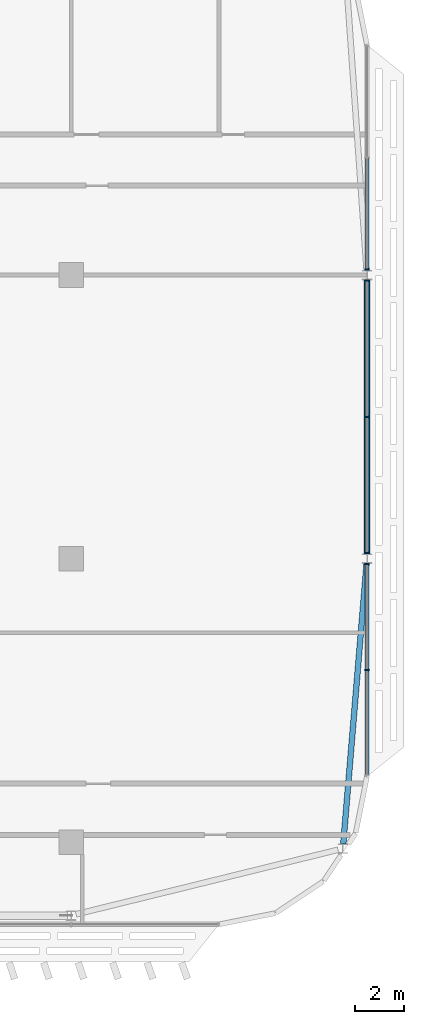
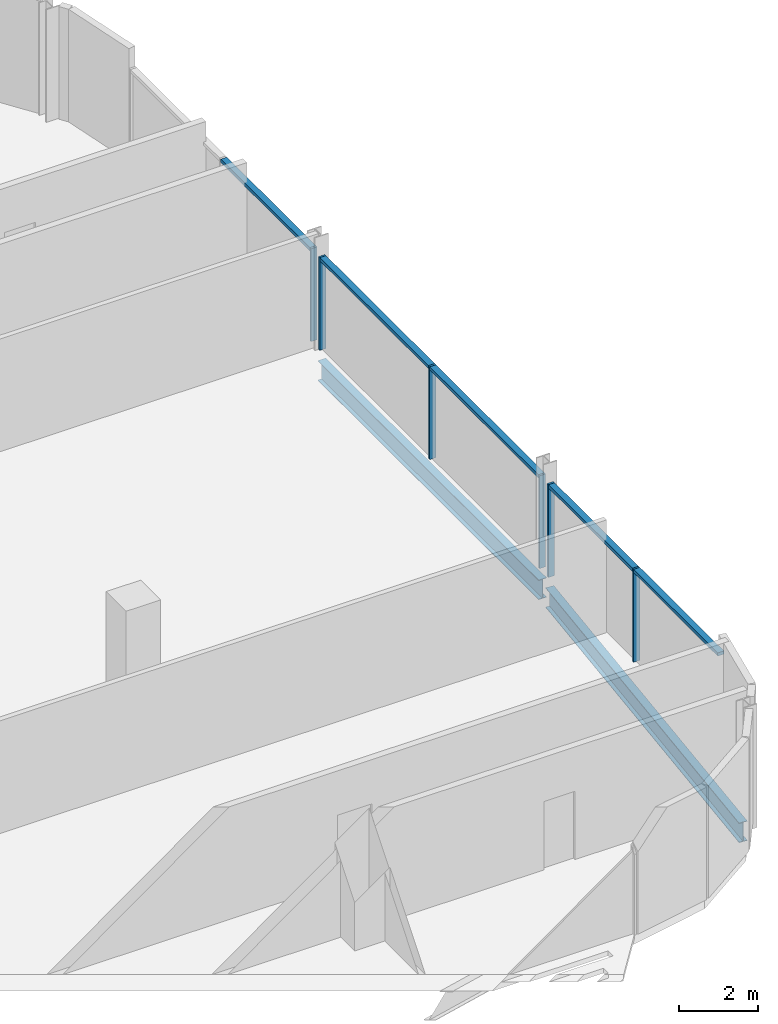
# One storey, part 13 of 35: 11 members, 2 beams, 3 elements without a shape of their own.
"""IFC4 building model written with IfcOpenShell, lengths in metres."""

from ifc_helpers import new_model, si_unit, direction, frame, origin, origin_2d, place, context, subcontext, project, spatial, rectangle, i_section, extrude, material, material_profile, profile_set, type_object, element, aggregate, save


model = new_model("IFC4")

# Units and contexts
model_context = context("Model", 3, precision=1e-05, world=origin(), true_north=direction((0.0, 1.0)))
body_context = subcontext(model_context, "Body", "Model", "MODEL_VIEW")
ifc_project = project(units=[si_unit("LENGTHUNIT", "METRE"), si_unit("AREAUNIT", "SQUARE_METRE"), si_unit("VOLUMEUNIT", "CUBIC_METRE"), si_unit("PLANEANGLEUNIT", "RADIAN"), si_unit("MASSUNIT", "GRAM", prefix="KILO")], contexts=[model_context])

# Site, building, storey
site_placement = place(None, origin())
site = spatial("IfcSite", under=ifc_project, at=site_placement, CompositionType="ELEMENT")
building_placement = place(site_placement, origin())
building = spatial("IfcBuilding", under=site, at=building_placement, Name="Mahtab Terrace Research Tower", CompositionType="ELEMENT")
storey_placement = place(building_placement, frame((0.0, 0.0, 251.39990234375)))
storey = spatial("IfcBuildingStorey", under=building, at=storey_placement, Name="L61", CompositionType="ELEMENT", Elevation=251.39990234375)

# Curtain wall, members
ifc_material_1 = material(Name="Office ribbon curtain wall")
curtain_wall_type = type_object("IfcCurtainWallType", Name="Office ribbon curtain wall", PredefinedType="NOTDEFINED", material=ifc_material_1)
curtain_wall_1_placement = place(storey_placement, origin())
curtain_wall_1 = element("IfcCurtainWall", 1, at=curtain_wall_1_placement, inside=storey, type_object=curtain_wall_type, Name="EN.L61.18.23", PredefinedType="NOTDEFINED")
ifc_material_2 = material(Name="Natural anodised aluminium", Category="aluminium")
ifc_material_profile_1 = material_profile(ifc_material_2, rectangle(XDim=0.179931640625, YDim=0.06005859375, at=origin_2d()), Name="MULLION 60x180")
ifc_profile_set_1 = profile_set([ifc_material_profile_1], Name="Natural anodised aluminium")
member_type_1 = type_object("IfcMemberType", Name="Office ribbon curtain wall mullion", PredefinedType="MULLION", material=ifc_profile_set_1)
member_1_placement = place(storey_placement, frame((54.0, -4.513427734375, 0.0), z_axis=(0.0, 0.0, 1.0), x_axis=(-1.0, 0.0, 0.0)))
member_1 = element("IfcMember", 2, at=member_1_placement, type_object=member_type_1, Name="CWO-7 mullion 2", PredefinedType="MULLION", context=body_context, shape_type="SweptSolid", body=[
    extrude(rectangle(XDim=0.179931640625, YDim=0.06005859375, at=origin_2d()), origin(), (0.0, 0.0, 1.0), 2.85302734375),
])
member_2_placement = place(storey_placement, frame((54.0, -0.222900390625, 0.0), z_axis=(0.0, 0.0, 1.0), x_axis=(-1.0, 0.0, 0.0)))
member_2 = element("IfcMember", 3, at=member_2_placement, type_object=member_type_1, Name="CWO-7 mullion 3", PredefinedType="MULLION", context=body_context, shape_type="SweptSolid", body=[
    extrude(rectangle(XDim=0.179931640625, YDim=0.06005859375, at=origin_2d()), origin(), (0.0, 0.0, 1.0), 2.85302734375),
])

curtain_wall_2_placement = place(storey_placement, origin())
curtain_wall_2 = element("IfcCurtainWall", 4, at=curtain_wall_2_placement, inside=storey, type_object=curtain_wall_type, Name="EN.L61.18.24", PredefinedType="NOTDEFINED")
member_3_placement = place(storey_placement, frame((54.0, 0.222900390625, 0.0), z_axis=(0.0, 0.0, 1.0), x_axis=(-1.0, 0.0, 0.0)))
member_3 = element("IfcMember", 5, at=member_3_placement, type_object=member_type_1, Name="CWO-7 mullion 1", PredefinedType="MULLION", context=body_context, shape_type="SweptSolid", body=[
    extrude(rectangle(XDim=0.179931640625, YDim=0.06005859375, at=origin_2d()), origin(), (0.0, 0.0, 1.0), 2.85302734375),
])
member_4_placement = place(storey_placement, frame((54.0, 5.75, 0.0), z_axis=(0.0, 0.0, 1.0), x_axis=(-1.0, 0.0, 0.0)))
member_4 = element("IfcMember", 6, at=member_4_placement, type_object=member_type_1, Name="CWO-7 mullion 2", PredefinedType="MULLION", context=body_context, shape_type="SweptSolid", body=[
    extrude(rectangle(XDim=0.179931640625, YDim=0.06005859375, at=origin_2d()), origin(), (0.0, 0.0, 1.0), 2.85302734375),
])
member_5_placement = place(storey_placement, frame((54.0, 11.277099609375, 0.0), z_axis=(0.0, 0.0, 1.0), x_axis=(-1.0, 0.0, 0.0)))
member_5 = element("IfcMember", 7, at=member_5_placement, type_object=member_type_1, Name="CWO-7 mullion 3", PredefinedType="MULLION", context=body_context, shape_type="SweptSolid", body=[
    extrude(rectangle(XDim=0.179931640625, YDim=0.06005859375, at=origin_2d()), origin(), (0.0, 0.0, 1.0), 2.85302734375),
])

# Curtain wall, member
curtain_wall_3_placement = place(storey_placement, origin())
curtain_wall_3 = element("IfcCurtainWall", 8, at=curtain_wall_3_placement, inside=storey, type_object=curtain_wall_type, Name="EN.L61.18.25", PredefinedType="NOTDEFINED")
member_6_placement = place(storey_placement, frame((54.0, 11.722900390625, 0.0), z_axis=(0.0, 0.0, 1.0), x_axis=(-1.0, 0.0, 0.0)))
member_6 = element("IfcMember", 9, at=member_6_placement, type_object=member_type_1, Name="CWO-7 mullion 1", PredefinedType="MULLION", context=body_context, shape_type="SweptSolid", body=[
    extrude(rectangle(XDim=0.179931640625, YDim=0.06005859375, at=origin_2d()), origin(), (0.0, 0.0, 1.0), 2.85302734375),
])

# Member
ifc_material_profile_2 = material_profile(ifc_material_2, rectangle(XDim=0.179931640625, YDim=0.10009765625, at=origin_2d()), Name="TRANSOM 100x180")
ifc_profile_set_2 = profile_set([ifc_material_profile_2], Name="Natural anodised aluminium")
member_type_2 = type_object("IfcMemberType", Name="Office ribbon curtain wall transom", PredefinedType="USERDEFINED", material=ifc_profile_set_2)
member_7_placement = place(storey_placement, frame((54.0, -8.77392578125, 2.802978515625), z_axis=(0.0, 1.0, 0.0), x_axis=(-1.0, 0.0, 0.0)))
member_7 = element("IfcMember", 10, at=member_7_placement, type_object=member_type_2, Name="CWO-7 transom 1", ObjectType="TRANSOM", PredefinedType="USERDEFINED", context=body_context, shape_type="SweptSolid", body=[
    extrude(rectangle(XDim=0.179931640625, YDim=0.10009765625, at=origin_2d()), origin(), (0.0, 0.0, 1.0), 4.23046875),
])

member_8_placement = place(storey_placement, frame((54.0, -4.4833984375, 2.802978515625), z_axis=(0.0, 1.0, 0.0), x_axis=(-1.0, 0.0, 0.0)))
member_8 = element("IfcMember", 11, at=member_8_placement, type_object=member_type_2, Name="CWO-7 transom 2", ObjectType="TRANSOM", PredefinedType="USERDEFINED", context=body_context, shape_type="SweptSolid", body=[
    extrude(rectangle(XDim=0.179931640625, YDim=0.10009765625, at=origin_2d()), origin(), (0.0, 0.0, 1.0), 4.23046875),
])

aggregate(curtain_wall_1, [member_1, member_2, member_7, member_8])

member_9_placement = place(storey_placement, frame((54.0, 0.2529296875, 2.802978515625), z_axis=(0.0, 1.0, 0.0), x_axis=(-1.0, 0.0, 0.0)))
member_9 = element("IfcMember", 12, at=member_9_placement, type_object=member_type_2, Name="CWO-7 transom 1", ObjectType="TRANSOM", PredefinedType="USERDEFINED", context=body_context, shape_type="SweptSolid", body=[
    extrude(rectangle(XDim=0.179931640625, YDim=0.10009765625, at=origin_2d()), origin(), (0.0, 0.0, 1.0), 5.467041015625),
])

member_10_placement = place(storey_placement, frame((54.0, 5.780029296875, 2.802978515625), z_axis=(0.0, 1.0, 0.0), x_axis=(-1.0, 0.0, 0.0)))
member_10 = element("IfcMember", 13, at=member_10_placement, type_object=member_type_2, Name="CWO-7 transom 2", ObjectType="TRANSOM", PredefinedType="USERDEFINED", context=body_context, shape_type="SweptSolid", body=[
    extrude(rectangle(XDim=0.179931640625, YDim=0.10009765625, at=origin_2d()), origin(), (0.0, 0.0, 1.0), 5.467041015625),
])

aggregate(curtain_wall_2, [member_3, member_4, member_5, member_9, member_10])

member_11_placement = place(storey_placement, frame((54.0, 11.7529296875, 2.802978515625), z_axis=(0.0, 1.0, 0.0), x_axis=(-1.0, 0.0, 0.0)))
member_11 = element("IfcMember", 14, at=member_11_placement, type_object=member_type_2, Name="CWO-7 transom 1", ObjectType="TRANSOM", PredefinedType="USERDEFINED", context=body_context, shape_type="SweptSolid", body=[
    extrude(rectangle(XDim=0.179931640625, YDim=0.10009765625, at=origin_2d()), origin(), (0.0, 0.0, 1.0), 4.48046875),
])

aggregate(curtain_wall_3, [member_6, member_11])

# Beams
ifc_material_3 = material(Name="Steel ASTM A992 Gr 50", Category="steel")
ifc_material_profile_3 = material_profile(ifc_material_3, i_section(OverallWidth=0.228271484375, OverallDepth=0.607177734375, WebThickness=0.01123046875, FlangeThickness=0.017333984375, at=origin_2d()), Name="W24X76")
ifc_profile_set_3 = profile_set([ifc_material_profile_3], Name="Steel ASTM A992 Gr 50")
beam_type = type_object("IfcBeamType", Name="W24x76 beam BS2476", PredefinedType="BEAM", material=ifc_profile_set_3)
beam_1_placement = place(storey_placement, frame((53.037109375, -11.56494140625, -0.6435546875), z_axis=(0.08296934335, 0.996552100025, 0.0), x_axis=(-0.996552100025, 0.08296934335, 0.0)))
element("IfcBeam", 15, at=beam_1_placement, inside=storey, type_object=beam_type, Name="Spandrel beam L61 20", PredefinedType="BEAM", context=body_context, shape_type="SweptSolid", body=[
    extrude(i_section(OverallWidth=0.228271484375, OverallDepth=0.607177734375, WebThickness=0.01123046875, FlangeThickness=0.017333984375, at=origin_2d()), origin(), (0.0, 0.0, 1.0), 11.4111328125),
])
beam_2_placement = place(storey_placement, frame((54.0, 0.193115234375, -0.6435546875), z_axis=(0.0, 1.0, 0.0), x_axis=(-1.0, 0.0, 0.0)))
element("IfcBeam", 16, at=beam_2_placement, inside=storey, type_object=beam_type, Name="Spandrel beam L61 21", PredefinedType="BEAM", context=body_context, shape_type="SweptSolid", body=[
    extrude(i_section(OverallWidth=0.228271484375, OverallDepth=0.607177734375, WebThickness=0.01123046875, FlangeThickness=0.017333984375, at=origin_2d()), origin(), (0.0, 0.0, 1.0), 11.11376953125),
])

save(model, "model.ifc")
